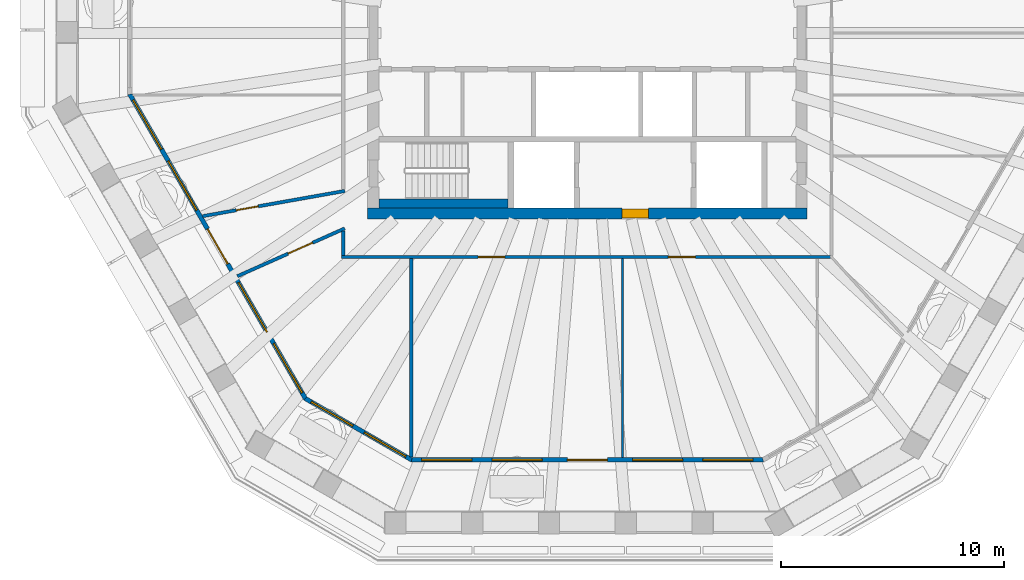
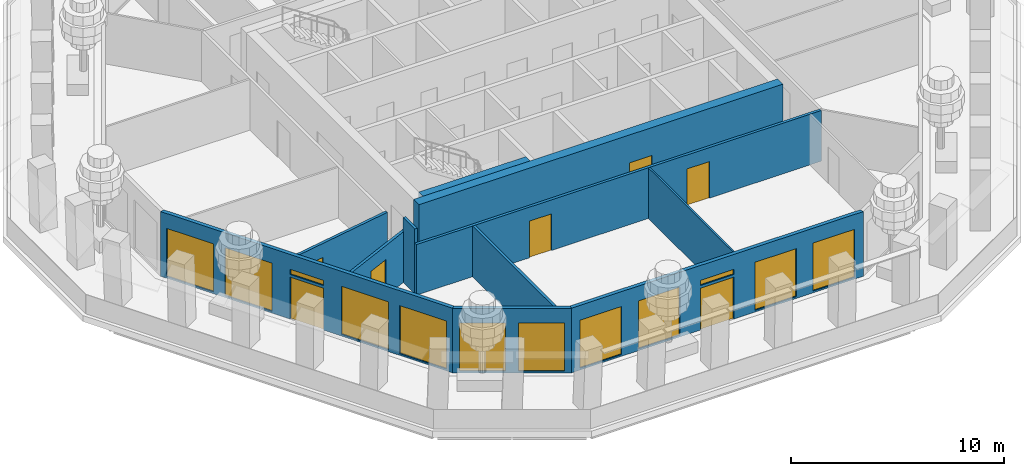
# One storey, part 3 of 13: 12 windows, 11 walls, 7 doors, 19 openings.
"""IFC4 building model written with IfcOpenShell, lengths in metres."""

from ifc_helpers import new_model, si_unit, direction, frame, frame_2d, origin, place, context, subcontext, project, spatial, polyline, rectangle, outline, extrude, material, layer, layer_set, type_object, element, fill, save


model = new_model("IFC4")

# Units and contexts
model_context = context("Model", 3, precision=1e-05, world=origin(), true_north=direction((0.0, 1.0)))
body_context = subcontext(model_context, "Body", "Model", "MODEL_VIEW")
ifc_project = project(units=[si_unit("LENGTHUNIT", "METRE"), si_unit("AREAUNIT", "SQUARE_METRE"), si_unit("VOLUMEUNIT", "CUBIC_METRE"), si_unit("PLANEANGLEUNIT", "RADIAN"), si_unit("MASSUNIT", "GRAM", prefix="KILO")], contexts=[model_context])

# Site, building, storey
site_placement = place(None, origin())
site = spatial("IfcSite", under=ifc_project, at=site_placement, CompositionType="ELEMENT")
building_placement = place(site_placement, origin())
building = spatial("IfcBuilding", under=site, at=building_placement, Name="Frailejon Research Tower", CompositionType="ELEMENT")
storey_placement = place(building_placement, frame((0.0, 0.0, 263.0)))
storey = spatial("IfcBuildingStorey", under=building, at=storey_placement, Name="L57", CompositionType="ELEMENT", Elevation=263.0)

# Wall, opening, door
ifc_material_1 = material(Name="Concrete C50/60", Category="concrete")
ifc_layer_1 = layer(ifc_material_1, 0.5)
ifc_layer_set_1 = layer_set([ifc_layer_1], Name="Core shear wall 500 C50/60")
wall_type_1 = type_object("IfcWallType", Name="Core shear wall 500 C50/60", PredefinedType="SHEAR", material=ifc_layer_set_1)
wall_1_placement = place(storey_placement, frame((-9.85009765625, -8.10009765625, 0.0), z_axis=(0.0, 0.0, 1.0), x_axis=(1.0, 0.0, 0.0)))
wall_1 = element("IfcWall", 1, at=wall_1_placement, inside=storey, type_object=wall_type_1, Name="Core shear wall", PredefinedType="SHEAR", context=body_context, shape_type="SweptSolid", body=[
    extrude(rectangle(XDim=19.7001953125, YDim=0.5, at=frame_2d((9.85009765625, 0.0))), origin(), (0.0, 0.0, 1.0), 3.699951171875),
])
opening_1_placement = place(wall_1_placement, frame((11.39990234375, 0.0, 0.0)))
opening_1 = element("IfcOpeningElement", 2, at=opening_1_placement, cuts=wall_1, Name="Opening D3", PredefinedType="OPENING", context=body_context, shape_type="SweptSolid", body=[
    extrude(rectangle(XDim=1.199951171875, YDim=2.10009765625, at=frame_2d((0.60009765625, 1.050048828125))), frame((0.0, 0.260009765625, 0.0), z_axis=(0.0, -1.0, 0.0), x_axis=(1.0, 0.0, 0.0)), (0.0, 0.0, 1.0), 0.52001953125),
])
ifc_material_2 = material(Name="Steel", Category="steel")
door_type_1 = type_object("IfcDoorType", Name="Firefighting lobby door", OperationType="SINGLE_SWING_LEFT", PredefinedType="DOOR", material=ifc_material_2)
door_1_placement = place(opening_1_placement, origin())
door_1 = element("IfcDoor", 3, at=door_1_placement, inside=storey, type_object=door_type_1, Name="Firefighting lobby door", OperationType="SINGLE_SWING_LEFT", OverallHeight=2.10009765625, OverallWidth=1.199951171875, PredefinedType="DOOR", context=body_context, shape_type="SweptSolid", body=[
    extrude(rectangle(XDim=1.199951171875, YDim=2.10009765625, at=frame_2d((0.60009765625, 1.050048828125))), frame((0.0, 0.199951171875, 0.0), z_axis=(0.0, -1.0, 0.0), x_axis=(1.0, 0.0, 0.0)), (0.0, 0.0, 1.0), 0.39990234375),
])
fill(opening_1, door_1)

# Wall
ifc_material_3 = material(Name="Gypsum board and masonry partition", Category="masonry")
ifc_layer_2 = layer(ifc_material_3, 0.14990234375)
ifc_layer_set_2 = layer_set([ifc_layer_2], Name="Corridor wall EI 60, gypsum on steel studs 150")
wall_type_2 = type_object("IfcWallType", Name="Corridor wall EI 60, gypsum on steel studs 150", PredefinedType="PARTITIONING", material=ifc_layer_set_2)
wall_2_placement = place(storey_placement, frame((-10.949951171875, -9.97509765625, 0.0), z_axis=(0.0, 0.0, 1.0), x_axis=(0.0, 1.0, 0.0)))
element("IfcWall", 4, at=wall_2_placement, inside=storey, type_object=wall_type_2, Name="T:IW:L57:006", PredefinedType="PARTITIONING", context=body_context, shape_type="SweptSolid", body=[
    extrude(rectangle(XDim=1.10009765625, YDim=0.14990234375, at=frame_2d((0.550048828125, 0.0))), origin(), (0.0, 0.0, 1.0), 3.699951171875),
])

# Wall, openings, doors
wall_3_placement = place(storey_placement, frame((-11.02490234375, -10.050048828125, 0.0), z_axis=(0.0, 0.0, 1.0), x_axis=(1.0, 0.0, 0.0)))
wall_3 = element("IfcWall", 5, at=wall_3_placement, inside=storey, type_object=wall_type_2, Name="T:IW:L57:008", PredefinedType="PARTITIONING", context=body_context, shape_type="SweptSolid", body=[
    extrude(rectangle(XDim=21.9248046875, YDim=0.14990234375, at=frame_2d((10.96240234375, 0.0))), origin(), (0.0, 0.0, 1.0), 2.89990234375),
])
opening_2_placement = place(wall_3_placement, frame((6.124755859375, 0.0, 0.0)))
opening_2 = element("IfcOpeningElement", 6, at=opening_2_placement, cuts=wall_3, Name="Opening D2105", PredefinedType="OPENING", context=body_context, shape_type="SweptSolid", body=[
    extrude(rectangle(XDim=1.199951171875, YDim=2.10009765625, at=frame_2d((0.60009765625, 1.050048828125))), frame((0.0, 0.0849609375, 0.0), z_axis=(0.0, -1.0, 0.0), x_axis=(1.0, 0.0, 0.0)), (0.0, 0.0, 1.0), 0.169921875),
])
opening_3_placement = place(wall_3_placement, frame((14.663818359375, 0.0, 0.0)))
opening_3 = element("IfcOpeningElement", 7, at=opening_3_placement, cuts=wall_3, Name="Opening D2106", PredefinedType="OPENING", context=body_context, shape_type="SweptSolid", body=[
    extrude(rectangle(XDim=1.199951171875, YDim=2.10009765625, at=frame_2d((0.60009765625, 1.050048828125))), frame((0.0, 0.0849609375, 0.0), z_axis=(0.0, -1.0, 0.0), x_axis=(1.0, 0.0, 0.0)), (0.0, 0.0, 1.0), 0.169921875),
])
ifc_material_4 = material(Name="Timber door leaf", Category="wood")
door_type_2 = type_object("IfcDoorType", Name="Door single leaf, timber, steel frame 1200", OperationType="NOTDEFINED", PredefinedType="DOOR", material=ifc_material_4)
door_2_placement = place(opening_2_placement, origin())
door_2 = element("IfcDoor", 8, at=door_2_placement, inside=storey, type_object=door_type_2, Name="D2105", OperationType="DOUBLE_DOOR_SINGLE_SWING", OverallHeight=2.10009765625, OverallWidth=1.199951171875, PredefinedType="DOOR", context=body_context, shape_type="SweptSolid", body=[
    extrude(rectangle(XDim=1.199951171875, YDim=2.10009765625, at=frame_2d((0.60009765625, 1.050048828125))), frame((0.0, 0.02490234375, 0.0), z_axis=(0.0, -1.0, 0.0), x_axis=(1.0, 0.0, 0.0)), (0.0, 0.0, 1.0), 0.050048828125),
])
fill(opening_2, door_2)
door_3_placement = place(opening_3_placement, origin())
door_3 = element("IfcDoor", 9, at=door_3_placement, inside=storey, type_object=door_type_2, Name="D2106", OperationType="DOUBLE_DOOR_SINGLE_SWING", OverallHeight=2.10009765625, OverallWidth=1.199951171875, PredefinedType="DOOR", context=body_context, shape_type="SweptSolid", body=[
    extrude(rectangle(XDim=1.199951171875, YDim=2.10009765625, at=frame_2d((0.60009765625, 1.050048828125))), frame((0.0, 0.02490234375, 0.0), z_axis=(0.0, -1.0, 0.0), x_axis=(1.0, 0.0, 0.0)), (0.0, 0.0, 1.0), 0.050048828125),
])
fill(opening_3, door_3)

# Wall, opening, door
wall_4_placement = place(storey_placement, frame((-17.252197265625, -8.218505859375, 0.0), z_axis=(0.0, 0.0, 1.0), x_axis=(0.98461343261, 0.174746640379, 0.0)))
wall_4 = element("IfcWall", 10, at=wall_4_placement, inside=storey, type_object=wall_type_2, Name="T:IW:L57:009", PredefinedType="PARTITIONING", context=body_context, shape_type="SweptSolid", body=[
    extrude(rectangle(XDim=6.4755859375, YDim=0.14990234375, at=frame_2d((3.23779296875, 0.0))), origin(), (0.0, 0.0, 1.0), 2.89990234375),
])
opening_4_placement = place(wall_4_placement, frame((1.525146484375, 0.0, 0.0)))
opening_4 = element("IfcOpeningElement", 11, at=opening_4_placement, cuts=wall_4, Name="Opening D2103", PredefinedType="OPENING", context=body_context, shape_type="SweptSolid", body=[
    extrude(rectangle(XDim=1.0, YDim=2.10009765625, at=frame_2d((0.5, 1.050048828125))), frame((0.0, 0.0849609375, 0.0), z_axis=(0.0, -1.0, 0.0), x_axis=(1.0, 0.0, 0.0)), (0.0, 0.0, 1.0), 0.169921875),
])
ifc_material_5 = material(Name="Timber door leaf", Category="wood")
door_type_3 = type_object("IfcDoorType", Name="Door single leaf, timber, steel frame 1000", OperationType="NOTDEFINED", PredefinedType="DOOR", material=ifc_material_5)
door_4_placement = place(opening_4_placement, origin())
door_4 = element("IfcDoor", 12, at=door_4_placement, inside=storey, type_object=door_type_3, Name="D2103", OperationType="SINGLE_SWING_RIGHT", OverallHeight=2.10009765625, OverallWidth=1.0, PredefinedType="DOOR", context=body_context, shape_type="SweptSolid", body=[
    extrude(rectangle(XDim=1.0, YDim=2.10009765625, at=frame_2d((0.5, 1.050048828125))), frame((0.0, 0.02490234375, 0.0), z_axis=(0.0, -1.0, 0.0), x_axis=(1.0, 0.0, 0.0)), (0.0, 0.0, 1.0), 0.050048828125),
])
fill(opening_4, door_4)

wall_5_placement = place(storey_placement, frame((-15.69677734375, -10.91259765625, 0.0), z_axis=(0.0, 0.0, 1.0), x_axis=(0.913601307638, 0.406611178748, 0.0)))
wall_5 = element("IfcWall", 13, at=wall_5_placement, inside=storey, type_object=wall_type_2, Name="T:IW:L57:010", PredefinedType="PARTITIONING", context=body_context, shape_type="SweptSolid", body=[
    extrude(rectangle(XDim=5.2705078125, YDim=0.14990234375, at=frame_2d((2.63525390625, 0.0))), origin(), (0.0, 0.0, 1.0), 2.89990234375),
])
opening_5_placement = place(wall_5_placement, frame((2.4921875, 0.0, 0.0)))
opening_5 = element("IfcOpeningElement", 14, at=opening_5_placement, cuts=wall_5, Name="Opening D2104", PredefinedType="OPENING", context=body_context, shape_type="SweptSolid", body=[
    extrude(rectangle(XDim=1.199951171875, YDim=2.10009765625, at=frame_2d((0.60009765625, 1.050048828125))), frame((0.0, 0.0849609375, 0.0), z_axis=(0.0, -1.0, 0.0), x_axis=(1.0, 0.0, 0.0)), (0.0, 0.0, 1.0), 0.169921875),
])
ifc_material_6 = material(Name="Timber door leaf", Category="wood")
door_type_4 = type_object("IfcDoorType", Name="Door laboratory, timber, vision panel 1200", OperationType="NOTDEFINED", PredefinedType="DOOR", material=ifc_material_6)
door_5_placement = place(opening_5_placement, origin())
door_5 = element("IfcDoor", 15, at=door_5_placement, inside=storey, type_object=door_type_4, Name="D2104", OperationType="DOUBLE_DOOR_SINGLE_SWING", OverallHeight=2.10009765625, OverallWidth=1.199951171875, PredefinedType="DOOR", context=body_context, shape_type="SweptSolid", body=[
    extrude(rectangle(XDim=1.199951171875, YDim=2.10009765625, at=frame_2d((0.60009765625, 1.050048828125))), frame((0.0, 0.02490234375, 0.0), z_axis=(0.0, -1.0, 0.0), x_axis=(1.0, 0.0, 0.0)), (0.0, 0.0, 1.0), 0.050048828125),
])
fill(opening_5, door_5)

# Walls
ifc_material_7 = material(Name="Gypsum board and masonry partition", Category="masonry")
ifc_layer_3 = layer(ifc_material_7, 0.14990234375)
ifc_layer_set_3 = layer_set([ifc_layer_3], Name="Laboratory partition, blockwork 150")
wall_type_3 = type_object("IfcWallType", Name="Laboratory partition, blockwork 150", PredefinedType="PARTITIONING", material=ifc_layer_set_3)
wall_6_placement = place(storey_placement, frame((-7.90576171875, -19.01904296875, 0.0), z_axis=(0.0, 0.0, 1.0), x_axis=(0.0, 1.0, 0.0)))
element("IfcWall", 16, at=wall_6_placement, inside=storey, type_object=wall_type_3, Name="T:IW:L57:011", PredefinedType="PARTITIONING", context=body_context, shape_type="SweptSolid", body=[
    extrude(rectangle(XDim=8.89404296875, YDim=0.14990234375, at=frame_2d((4.447021484375, 0.0))), origin(), (0.0, 0.0, 1.0), 2.89990234375),
])
ifc_material_8 = material(Name="Gypsum board and masonry partition", Category="masonry")
ifc_layer_4 = layer(ifc_material_8, 0.10009765625)
ifc_layer_set_4 = layer_set([ifc_layer_4], Name="Partition, gypsum on steel studs 100")
wall_type_4 = type_object("IfcWallType", Name="Partition, gypsum on steel studs 100", PredefinedType="PARTITIONING", material=ifc_layer_set_4)
wall_7_placement = place(storey_placement, frame((1.5810546875, -19.050048828125, 0.0), z_axis=(0.0, 0.0, 1.0), x_axis=(0.0, 1.0, 0.0)))
element("IfcWall", 17, at=wall_7_placement, inside=storey, type_object=wall_type_4, Name="T:IW:L57:018", PredefinedType="PARTITIONING", context=body_context, shape_type="SweptSolid", body=[
    extrude(rectangle(XDim=8.925048828125, YDim=0.10009765625, at=frame_2d((4.46240234375, 0.0))), origin(), (0.0, 0.0, 1.0), 2.89990234375),
])
ifc_material_9 = material(Name="Concrete C50/60", Category="concrete")
ifc_layer_5 = layer(ifc_material_9, 0.39990234375)
ifc_layer_set_5 = layer_set([ifc_layer_5], Name="Shaft wall 400 C50/60")
wall_type_5 = type_object("IfcWallType", Name="Shaft wall 400 C50/60", PredefinedType="SOLIDWALL", material=ifc_layer_set_5)
wall_8_placement = place(storey_placement, frame((-9.35009765625, -7.64990234375, 0.0), z_axis=(0.0, 0.0, 1.0), x_axis=(1.0, 0.0, 0.0)))
element("IfcWall", 18, at=wall_8_placement, inside=storey, type_object=wall_type_5, Name="Shaft wall", PredefinedType="SOLIDWALL", context=body_context, shape_type="SweptSolid", body=[
    extrude(rectangle(XDim=5.800048828125, YDim=0.39990234375, at=frame_2d((2.89990234375, 0.0))), origin(), (0.0, 0.0, 1.0), 3.699951171875),
])

# Wall, openings, door, windows
ifc_material_10 = material(Name="Concrete C40/50 precast window wall panel", Category="concrete")
ifc_layer_6 = layer(ifc_material_10, 0.199951171875)
ifc_layer_set_6 = layer_set([ifc_layer_6], Name="Window wall 200")
wall_type_6 = type_object("IfcWallType", Name="Window wall 200", PredefinedType="SOLIDWALL", material=ifc_layer_set_6)
wall_9_placement = place(storey_placement, frame((-20.523681640625, -2.751708984375, 0.0), z_axis=(0.0, 0.0, 1.0), x_axis=(0.499993368965, -0.86602923218, 0.0)))
wall_9 = element("IfcWall", 19, at=wall_9_placement, inside=storey, type_object=wall_type_6, Name="Exterior wall L57", PredefinedType="SOLIDWALL", context=body_context, shape_type="SweptSolid", body=[
    extrude(outline(polyline([(-0.02685546875, -0.10009765625), (1.02734375, -0.10009765625), (2.081298828125, -0.10009765625), (3.135498046875, -0.10009765625), (4.189453125, -0.10009765625), (5.24365234375, -0.10009765625), (6.297607421875, -0.10009765625), (7.351806640625, -0.10009765625), (8.40576171875, -0.10009765625), (9.4599609375, -0.10009765625), (10.513916015625, -0.10009765625), (11.568115234375, -0.10009765625), (12.6220703125, -0.10009765625), (13.67626953125, -0.10009765625), (14.730224609375, -0.10009765625), (15.784423828125, -0.10009765625), (15.730712890625, 0.10009765625), (14.683837890625, 0.10009765625), (13.636962890625, 0.10009765625), (12.58984375, 0.10009765625), (11.54296875, 0.10009765625), (10.49609375, 0.10009765625), (9.44921875, 0.10009765625), (8.40234375, 0.10009765625), (7.355224609375, 0.10009765625), (6.308349609375, 0.10009765625), (5.261474609375, 0.10009765625), (4.214599609375, 0.10009765625), (3.167724609375, 0.10009765625), (2.12060546875, 0.10009765625), (1.07373046875, 0.10009765625), (0.02685546875, 0.10009765625), (-0.02685546875, -0.10009765625)])), origin(), (0.0, 0.0, 1.0), 3.699951171875),
])
opening_6_placement = place(wall_9_placement, frame((0.30078125, 0.0, 0.10009765625)))
opening_6 = element("IfcOpeningElement", 20, at=opening_6_placement, cuts=wall_9, Name="Opening W25", PredefinedType="OPENING", context=body_context, shape_type="SweptSolid", body=[
    extrude(rectangle(XDim=2.550048828125, YDim=2.75, at=frame_2d((1.27490234375, 1.375))), frame((0.0, 0.10986328125, 0.0), z_axis=(0.0, -1.0, 0.0), x_axis=(1.0, 0.0, 0.0)), (0.0, 0.0, 1.0), 0.219970703125),
])
opening_7_placement = place(wall_9_placement, frame((3.452392578125, 0.0, 0.10009765625)))
opening_7 = element("IfcOpeningElement", 21, at=opening_7_placement, cuts=wall_9, Name="Opening W25", PredefinedType="OPENING", context=body_context, shape_type="SweptSolid", body=[
    extrude(rectangle(XDim=2.550048828125, YDim=2.75, at=frame_2d((1.27490234375, 1.375))), frame((0.0, 0.10986328125, 0.0), z_axis=(0.0, -1.0, 0.0), x_axis=(1.0, 0.0, 0.0)), (0.0, 0.0, 1.0), 0.219970703125),
])
opening_8_placement = place(wall_9_placement, frame((6.97900390625, 0.0, 0.0)))
opening_8 = element("IfcOpeningElement", 22, at=opening_8_placement, cuts=wall_9, Name="Opening LG57-4", PredefinedType="OPENING", context=body_context, shape_type="SweptSolid", body=[
    extrude(rectangle(XDim=1.800048828125, YDim=2.39990234375, at=frame_2d((0.89990234375, 1.199951171875))), frame((0.0, 0.10986328125, 0.0), z_axis=(0.0, -1.0, 0.0), x_axis=(1.0, 0.0, 0.0)), (0.0, 0.0, 1.0), 0.219970703125),
])
opening_9_placement = place(wall_9_placement, frame((6.97900390625, 0.0, 2.550048828125)))
opening_9 = element("IfcOpeningElement", 23, at=opening_9_placement, cuts=wall_9, Name="Opening W24", PredefinedType="OPENING", context=body_context, shape_type="SweptSolid", body=[
    extrude(rectangle(XDim=1.800048828125, YDim=0.300048828125, at=frame_2d((0.89990234375, 0.14990234375))), frame((0.0, 0.10986328125, 0.0), z_axis=(0.0, -1.0, 0.0), x_axis=(1.0, 0.0, 0.0)), (0.0, 0.0, 1.0), 0.219970703125),
])
opening_10_placement = place(wall_9_placement, frame((9.75537109375, 0.0, 0.10009765625)))
opening_10 = element("IfcOpeningElement", 24, at=opening_10_placement, cuts=wall_9, Name="Opening W25", PredefinedType="OPENING", context=body_context, shape_type="SweptSolid", body=[
    extrude(rectangle(XDim=2.550048828125, YDim=2.75, at=frame_2d((1.27490234375, 1.375))), frame((0.0, 0.10986328125, 0.0), z_axis=(0.0, -1.0, 0.0), x_axis=(1.0, 0.0, 0.0)), (0.0, 0.0, 1.0), 0.219970703125),
])
opening_11_placement = place(wall_9_placement, frame((12.906982421875, 0.0, 0.10009765625)))
opening_11 = element("IfcOpeningElement", 25, at=opening_11_placement, cuts=wall_9, Name="Opening W25", PredefinedType="OPENING", context=body_context, shape_type="SweptSolid", body=[
    extrude(rectangle(XDim=2.550048828125, YDim=2.75, at=frame_2d((1.27490234375, 1.375))), frame((0.0, 0.10986328125, 0.0), z_axis=(0.0, -1.0, 0.0), x_axis=(1.0, 0.0, 0.0)), (0.0, 0.0, 1.0), 0.219970703125),
])
ifc_material_11 = material(Name="Aluminium framed glazed door leaf", Category="aluminium")
door_type_5 = type_object("IfcDoorType", Name="Loggia door 1800x2400", OperationType="DOUBLE_DOOR_SINGLE_SWING", PredefinedType="DOOR", material=ifc_material_11)
door_6_placement = place(opening_8_placement, origin())
door_6 = element("IfcDoor", 26, at=door_6_placement, inside=storey, type_object=door_type_5, Name="Door LG57-4", OperationType="DOUBLE_DOOR_SINGLE_SWING", OverallHeight=2.39990234375, OverallWidth=1.800048828125, PredefinedType="DOOR", context=body_context, shape_type="SweptSolid", body=[
    extrude(rectangle(XDim=1.800048828125, YDim=2.39990234375, at=frame_2d((0.89990234375, 1.199951171875))), frame((0.0, 0.02490234375, 0.0), z_axis=(0.0, -1.0, 0.0), x_axis=(1.0, 0.0, 0.0)), (0.0, 0.0, 1.0), 0.050048828125),
])
fill(opening_8, door_6)
ifc_material_12 = material(Name="Aluminium framed double glazing", Category="aluminium")
window_type_1 = type_object("IfcWindowType", Name="Window 1800x300", PartitioningType="SINGLE_PANEL", PredefinedType="WINDOW", material=ifc_material_12)
window_1_placement = place(opening_9_placement, origin())
window_1 = element("IfcWindow", 27, at=window_1_placement, inside=storey, type_object=window_type_1, Name="Window L57", OverallHeight=0.300048828125, OverallWidth=1.800048828125, PartitioningType="SINGLE_PANEL", PredefinedType="WINDOW", context=body_context, shape_type="SweptSolid", body=[
    extrude(rectangle(XDim=1.800048828125, YDim=0.300048828125, at=frame_2d((0.89990234375, 0.14990234375))), frame((0.0, 0.030029296875, 0.0), z_axis=(0.0, -1.0, 0.0), x_axis=(1.0, 0.0, 0.0)), (0.0, 0.0, 1.0), 0.06005859375),
])
fill(opening_9, window_1)
ifc_material_13 = material(Name="Aluminium framed double glazing", Category="aluminium")
window_type_2 = type_object("IfcWindowType", Name="Window 2550x2750", PartitioningType="SINGLE_PANEL", PredefinedType="WINDOW", material=ifc_material_13)
window_2_placement = place(opening_6_placement, origin())
window_2 = element("IfcWindow", 28, at=window_2_placement, inside=storey, type_object=window_type_2, Name="Window L57", OverallHeight=2.75, OverallWidth=2.550048828125, PartitioningType="SINGLE_PANEL", PredefinedType="WINDOW", context=body_context, shape_type="SweptSolid", body=[
    extrude(rectangle(XDim=2.550048828125, YDim=2.75, at=frame_2d((1.27490234375, 1.375))), frame((0.0, 0.030029296875, 0.0), z_axis=(0.0, -1.0, 0.0), x_axis=(1.0, 0.0, 0.0)), (0.0, 0.0, 1.0), 0.06005859375),
])
fill(opening_6, window_2)
window_3_placement = place(opening_7_placement, origin())
window_3 = element("IfcWindow", 29, at=window_3_placement, inside=storey, type_object=window_type_2, Name="Window L57", OverallHeight=2.75, OverallWidth=2.550048828125, PartitioningType="SINGLE_PANEL", PredefinedType="WINDOW", context=body_context, shape_type="SweptSolid", body=[
    extrude(rectangle(XDim=2.550048828125, YDim=2.75, at=frame_2d((1.27490234375, 1.375))), frame((0.0, 0.030029296875, 0.0), z_axis=(0.0, -1.0, 0.0), x_axis=(1.0, 0.0, 0.0)), (0.0, 0.0, 1.0), 0.06005859375),
])
fill(opening_7, window_3)
window_4_placement = place(opening_10_placement, origin())
window_4 = element("IfcWindow", 30, at=window_4_placement, inside=storey, type_object=window_type_2, Name="Window L57", OverallHeight=2.75, OverallWidth=2.550048828125, PartitioningType="SINGLE_PANEL", PredefinedType="WINDOW", context=body_context, shape_type="SweptSolid", body=[
    extrude(rectangle(XDim=2.550048828125, YDim=2.75, at=frame_2d((1.27490234375, 1.375))), frame((0.0, 0.030029296875, 0.0), z_axis=(0.0, -1.0, 0.0), x_axis=(1.0, 0.0, 0.0)), (0.0, 0.0, 1.0), 0.06005859375),
])
fill(opening_10, window_4)
window_5_placement = place(opening_11_placement, origin())
window_5 = element("IfcWindow", 31, at=window_5_placement, inside=storey, type_object=window_type_2, Name="Window L57", OverallHeight=2.75, OverallWidth=2.550048828125, PartitioningType="SINGLE_PANEL", PredefinedType="WINDOW", context=body_context, shape_type="SweptSolid", body=[
    extrude(rectangle(XDim=2.550048828125, YDim=2.75, at=frame_2d((1.27490234375, 1.375))), frame((0.0, 0.030029296875, 0.0), z_axis=(0.0, -1.0, 0.0), x_axis=(1.0, 0.0, 0.0)), (0.0, 0.0, 1.0), 0.06005859375),
])
fill(opening_11, window_5)

# Wall, openings, windows
wall_10_placement = place(storey_placement, frame((-12.64501953125, -16.398193359375, 0.0), z_axis=(0.0, 0.0, 1.0), x_axis=(0.866026017613, -0.499998936816, 0.0)))
wall_10 = element("IfcWall", 32, at=wall_10_placement, inside=storey, type_object=wall_type_6, Name="Exterior wall L57", PredefinedType="SOLIDWALL", context=body_context, shape_type="SweptSolid", body=[
    extrude(outline(polyline([(-0.02685546875, -0.10009765625), (1.08447265625, -0.10009765625), (2.196044921875, -0.10009765625), (3.307373046875, -0.10009765625), (4.4189453125, -0.10009765625), (5.5302734375, -0.10009765625), (5.4765625, 0.10009765625), (4.38671875, 0.10009765625), (3.296630859375, 0.10009765625), (2.206787109375, 0.10009765625), (1.11669921875, 0.10009765625), (0.02685546875, 0.10009765625), (-0.02685546875, -0.10009765625)])), origin(), (0.0, 0.0, 1.0), 3.699951171875),
])
opening_12_placement = place(wall_10_placement, frame((0.30078125, 0.0, 0.10009765625)))
opening_12 = element("IfcOpeningElement", 33, at=opening_12_placement, cuts=wall_10, Name="Opening W22", PredefinedType="OPENING", context=body_context, shape_type="SweptSolid", body=[
    extrude(rectangle(XDim=2.14990234375, YDim=2.75, at=frame_2d((1.074951171875, 1.375))), frame((0.0, 0.10986328125, 0.0), z_axis=(0.0, -1.0, 0.0), x_axis=(1.0, 0.0, 0.0)), (0.0, 0.0, 1.0), 0.219970703125),
])
opening_13_placement = place(wall_10_placement, frame((3.052490234375, 0.0, 0.10009765625)))
opening_13 = element("IfcOpeningElement", 34, at=opening_13_placement, cuts=wall_10, Name="Opening W22", PredefinedType="OPENING", context=body_context, shape_type="SweptSolid", body=[
    extrude(rectangle(XDim=2.14990234375, YDim=2.75, at=frame_2d((1.074951171875, 1.375))), frame((0.0, 0.10986328125, 0.0), z_axis=(0.0, -1.0, 0.0), x_axis=(1.0, 0.0, 0.0)), (0.0, 0.0, 1.0), 0.219970703125),
])
ifc_material_14 = material(Name="Aluminium framed double glazing", Category="aluminium")
window_type_3 = type_object("IfcWindowType", Name="Window 2150x2750", PartitioningType="SINGLE_PANEL", PredefinedType="WINDOW", material=ifc_material_14)
window_6_placement = place(opening_12_placement, origin())
window_6 = element("IfcWindow", 35, at=window_6_placement, inside=storey, type_object=window_type_3, Name="Window L57", OverallHeight=2.75, OverallWidth=2.14990234375, PartitioningType="SINGLE_PANEL", PredefinedType="WINDOW", context=body_context, shape_type="SweptSolid", body=[
    extrude(rectangle(XDim=2.14990234375, YDim=2.75, at=frame_2d((1.074951171875, 1.375))), frame((0.0, 0.030029296875, 0.0), z_axis=(0.0, -1.0, 0.0), x_axis=(1.0, 0.0, 0.0)), (0.0, 0.0, 1.0), 0.06005859375),
])
fill(opening_12, window_6)
window_7_placement = place(opening_13_placement, origin())
window_7 = element("IfcWindow", 36, at=window_7_placement, inside=storey, type_object=window_type_3, Name="Window L57", OverallHeight=2.75, OverallWidth=2.14990234375, PartitioningType="SINGLE_PANEL", PredefinedType="WINDOW", context=body_context, shape_type="SweptSolid", body=[
    extrude(rectangle(XDim=2.14990234375, YDim=2.75, at=frame_2d((1.074951171875, 1.375))), frame((0.0, 0.030029296875, 0.0), z_axis=(0.0, -1.0, 0.0), x_axis=(1.0, 0.0, 0.0)), (0.0, 0.0, 1.0), 0.06005859375),
])
fill(opening_13, window_7)

# Wall, openings, door, windows
wall_11_placement = place(storey_placement, frame((-7.87890625, -19.14990234375, 0.0), z_axis=(0.0, 0.0, 1.0), x_axis=(1.0, 0.0, 0.0)))
wall_11 = element("IfcWall", 37, at=wall_11_placement, inside=storey, type_object=wall_type_6, Name="Exterior wall L57", PredefinedType="SOLIDWALL", context=body_context, shape_type="SweptSolid", body=[
    extrude(outline(polyline([(-0.02685546875, -0.10009765625), (1.02734375, -0.10009765625), (2.081298828125, -0.10009765625), (3.135498046875, -0.10009765625), (4.189453125, -0.10009765625), (5.24365234375, -0.10009765625), (6.2978515625, -0.10009765625), (7.351806640625, -0.10009765625), (8.406005859375, -0.10009765625), (9.4599609375, -0.10009765625), (10.51416015625, -0.10009765625), (11.568359375, -0.10009765625), (12.622314453125, -0.10009765625), (13.676513671875, -0.10009765625), (14.73046875, -0.10009765625), (15.78466796875, -0.10009765625), (15.73095703125, 0.10009765625), (14.68408203125, 0.10009765625), (13.636962890625, 0.10009765625), (12.590087890625, 0.10009765625), (11.543212890625, 0.10009765625), (10.496337890625, 0.10009765625), (9.44921875, 0.10009765625), (8.40234375, 0.10009765625), (7.35546875, 0.10009765625), (6.30859375, 0.10009765625), (5.261474609375, 0.10009765625), (4.214599609375, 0.10009765625), (3.167724609375, 0.10009765625), (2.120849609375, 0.10009765625), (1.07373046875, 0.10009765625), (0.02685546875, 0.10009765625), (-0.02685546875, -0.10009765625)])), origin(), (0.0, 0.0, 1.0), 3.699951171875),
])
opening_14_placement = place(wall_11_placement, frame((0.45068359375, 0.0, 0.10009765625)))
opening_14 = element("IfcOpeningElement", 38, at=opening_14_placement, cuts=wall_11, Name="Opening W23", PredefinedType="OPENING", context=body_context, shape_type="SweptSolid", body=[
    extrude(rectangle(XDim=2.25, YDim=2.75, at=frame_2d((1.125, 1.375))), frame((0.0, 0.10986328125, 0.0), z_axis=(0.0, -1.0, 0.0), x_axis=(1.0, 0.0, 0.0)), (0.0, 0.0, 1.0), 0.219970703125),
])
opening_15_placement = place(wall_11_placement, frame((3.602294921875, 0.0, 0.10009765625)))
opening_15 = element("IfcOpeningElement", 39, at=opening_15_placement, cuts=wall_11, Name="Opening W23", PredefinedType="OPENING", context=body_context, shape_type="SweptSolid", body=[
    extrude(rectangle(XDim=2.25, YDim=2.75, at=frame_2d((1.125, 1.375))), frame((0.0, 0.10986328125, 0.0), z_axis=(0.0, -1.0, 0.0), x_axis=(1.0, 0.0, 0.0)), (0.0, 0.0, 1.0), 0.219970703125),
])
opening_16_placement = place(wall_11_placement, frame((6.97900390625, 0.0, 0.0)))
opening_16 = element("IfcOpeningElement", 40, at=opening_16_placement, cuts=wall_11, Name="Opening LG57-5", PredefinedType="OPENING", context=body_context, shape_type="SweptSolid", body=[
    extrude(rectangle(XDim=1.800048828125, YDim=2.39990234375, at=frame_2d((0.89990234375, 1.199951171875))), frame((0.0, 0.10986328125, 0.0), z_axis=(0.0, -1.0, 0.0), x_axis=(1.0, 0.0, 0.0)), (0.0, 0.0, 1.0), 0.219970703125),
])
opening_17_placement = place(wall_11_placement, frame((6.97900390625, 0.0, 2.550048828125)))
opening_17 = element("IfcOpeningElement", 41, at=opening_17_placement, cuts=wall_11, Name="Opening W24", PredefinedType="OPENING", context=body_context, shape_type="SweptSolid", body=[
    extrude(rectangle(XDim=1.800048828125, YDim=0.300048828125, at=frame_2d((0.89990234375, 0.14990234375))), frame((0.0, 0.10986328125, 0.0), z_axis=(0.0, -1.0, 0.0), x_axis=(1.0, 0.0, 0.0)), (0.0, 0.0, 1.0), 0.219970703125),
])
opening_18_placement = place(wall_11_placement, frame((9.905517578125, 0.0, 0.10009765625)))
opening_18 = element("IfcOpeningElement", 42, at=opening_18_placement, cuts=wall_11, Name="Opening W23", PredefinedType="OPENING", context=body_context, shape_type="SweptSolid", body=[
    extrude(rectangle(XDim=2.25, YDim=2.75, at=frame_2d((1.125, 1.375))), frame((0.0, 0.10986328125, 0.0), z_axis=(0.0, -1.0, 0.0), x_axis=(1.0, 0.0, 0.0)), (0.0, 0.0, 1.0), 0.219970703125),
])
opening_19_placement = place(wall_11_placement, frame((13.056884765625, 0.0, 0.10009765625)))
opening_19 = element("IfcOpeningElement", 43, at=opening_19_placement, cuts=wall_11, Name="Opening W23", PredefinedType="OPENING", context=body_context, shape_type="SweptSolid", body=[
    extrude(rectangle(XDim=2.25, YDim=2.75, at=frame_2d((1.125, 1.375))), frame((0.0, 0.10986328125, 0.0), z_axis=(0.0, -1.0, 0.0), x_axis=(1.0, 0.0, 0.0)), (0.0, 0.0, 1.0), 0.219970703125),
])
door_7_placement = place(opening_16_placement, origin())
door_7 = element("IfcDoor", 44, at=door_7_placement, inside=storey, type_object=door_type_5, Name="Door LG57-5", OperationType="DOUBLE_DOOR_SINGLE_SWING", OverallHeight=2.39990234375, OverallWidth=1.800048828125, PredefinedType="DOOR", context=body_context, shape_type="SweptSolid", body=[
    extrude(rectangle(XDim=1.800048828125, YDim=2.39990234375, at=frame_2d((0.89990234375, 1.199951171875))), frame((0.0, 0.02490234375, 0.0), z_axis=(0.0, -1.0, 0.0), x_axis=(1.0, 0.0, 0.0)), (0.0, 0.0, 1.0), 0.050048828125),
])
fill(opening_16, door_7)
window_8_placement = place(opening_17_placement, origin())
window_8 = element("IfcWindow", 45, at=window_8_placement, inside=storey, type_object=window_type_1, Name="Window L57", OverallHeight=0.300048828125, OverallWidth=1.800048828125, PartitioningType="SINGLE_PANEL", PredefinedType="WINDOW", context=body_context, shape_type="SweptSolid", body=[
    extrude(rectangle(XDim=1.800048828125, YDim=0.300048828125, at=frame_2d((0.89990234375, 0.14990234375))), frame((0.0, 0.030029296875, 0.0), z_axis=(0.0, -1.0, 0.0), x_axis=(1.0, 0.0, 0.0)), (0.0, 0.0, 1.0), 0.06005859375),
])
fill(opening_17, window_8)
ifc_material_15 = material(Name="Aluminium framed double glazing", Category="aluminium")
window_type_4 = type_object("IfcWindowType", Name="Window 2250x2750", PartitioningType="SINGLE_PANEL", PredefinedType="WINDOW", material=ifc_material_15)
window_9_placement = place(opening_14_placement, origin())
window_9 = element("IfcWindow", 46, at=window_9_placement, inside=storey, type_object=window_type_4, Name="Window L57", OverallHeight=2.75, OverallWidth=2.25, PartitioningType="SINGLE_PANEL", PredefinedType="WINDOW", context=body_context, shape_type="SweptSolid", body=[
    extrude(rectangle(XDim=2.25, YDim=2.75, at=frame_2d((1.125, 1.375))), frame((0.0, 0.030029296875, 0.0), z_axis=(0.0, -1.0, 0.0), x_axis=(1.0, 0.0, 0.0)), (0.0, 0.0, 1.0), 0.06005859375),
])
fill(opening_14, window_9)
window_10_placement = place(opening_15_placement, origin())
window_10 = element("IfcWindow", 47, at=window_10_placement, inside=storey, type_object=window_type_4, Name="Window L57", OverallHeight=2.75, OverallWidth=2.25, PartitioningType="SINGLE_PANEL", PredefinedType="WINDOW", context=body_context, shape_type="SweptSolid", body=[
    extrude(rectangle(XDim=2.25, YDim=2.75, at=frame_2d((1.125, 1.375))), frame((0.0, 0.030029296875, 0.0), z_axis=(0.0, -1.0, 0.0), x_axis=(1.0, 0.0, 0.0)), (0.0, 0.0, 1.0), 0.06005859375),
])
fill(opening_15, window_10)
window_11_placement = place(opening_18_placement, origin())
window_11 = element("IfcWindow", 48, at=window_11_placement, inside=storey, type_object=window_type_4, Name="Window L57", OverallHeight=2.75, OverallWidth=2.25, PartitioningType="SINGLE_PANEL", PredefinedType="WINDOW", context=body_context, shape_type="SweptSolid", body=[
    extrude(rectangle(XDim=2.25, YDim=2.75, at=frame_2d((1.125, 1.375))), frame((0.0, 0.030029296875, 0.0), z_axis=(0.0, -1.0, 0.0), x_axis=(1.0, 0.0, 0.0)), (0.0, 0.0, 1.0), 0.06005859375),
])
fill(opening_18, window_11)
window_12_placement = place(opening_19_placement, origin())
window_12 = element("IfcWindow", 49, at=window_12_placement, inside=storey, type_object=window_type_4, Name="Window L57", OverallHeight=2.75, OverallWidth=2.25, PartitioningType="SINGLE_PANEL", PredefinedType="WINDOW", context=body_context, shape_type="SweptSolid", body=[
    extrude(rectangle(XDim=2.25, YDim=2.75, at=frame_2d((1.125, 1.375))), frame((0.0, 0.030029296875, 0.0), z_axis=(0.0, -1.0, 0.0), x_axis=(1.0, 0.0, 0.0)), (0.0, 0.0, 1.0), 0.06005859375),
])
fill(opening_19, window_12)

save(model, "model.ifc")
